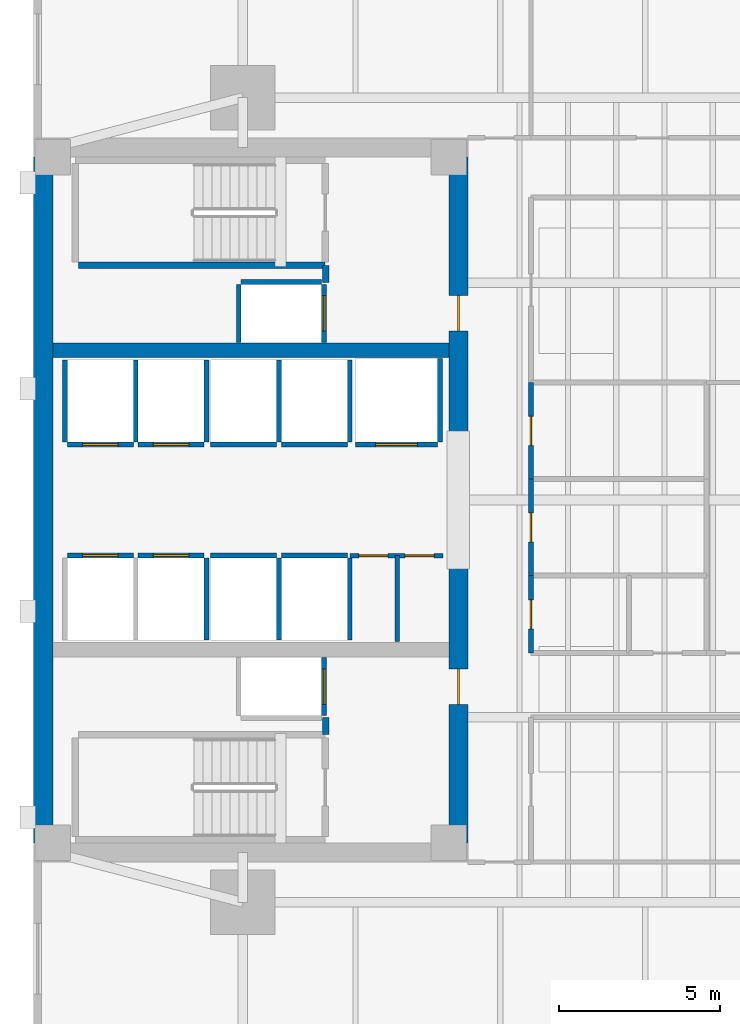
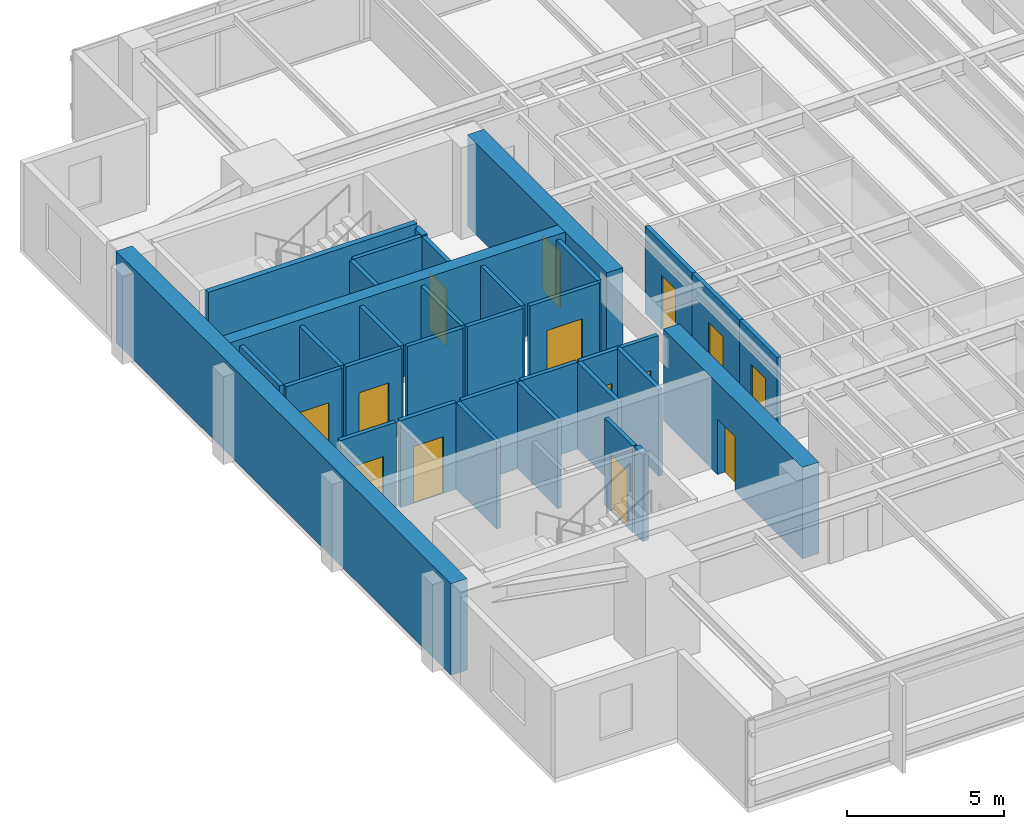
# One storey, part 8 of 14: 34 walls, 14 doors, 14 openings.
"""IFC4 building model written with IfcOpenShell, lengths in metres."""

from ifc_helpers import new_model, si_unit, direction, frame, frame_2d, origin, place, context, subcontext, project, spatial, rectangle, extrude, material, layer, layer_set, type_object, element, fill, save


model = new_model("IFC4")

# Units and contexts
model_context = context("Model", 3, precision=1e-05, world=origin(), true_north=direction((0.0, 1.0)))
body_context = subcontext(model_context, "Body", "Model", "MODEL_VIEW")
ifc_project = project(units=[si_unit("LENGTHUNIT", "METRE"), si_unit("AREAUNIT", "SQUARE_METRE"), si_unit("VOLUMEUNIT", "CUBIC_METRE"), si_unit("PLANEANGLEUNIT", "RADIAN"), si_unit("MASSUNIT", "GRAM", prefix="KILO")], contexts=[model_context])

# Site, building, storey
site_placement = place(None, origin())
site = spatial("IfcSite", under=ifc_project, at=site_placement, CompositionType="ELEMENT")
building_placement = place(site_placement, origin())
building = spatial("IfcBuilding", under=site, at=building_placement, Name="Kinhvarn Gate Tower", CompositionType="ELEMENT")
storey_placement = place(building_placement, frame((0.0, 0.0, 137.75)))
storey = spatial("IfcBuildingStorey", under=building, at=storey_placement, Name="L36", CompositionType="ELEMENT", Elevation=137.75)

# Wall
ifc_material_1 = material(Name="Concrete C50/60", Category="concrete")
ifc_layer_1 = layer(ifc_material_1, 0.449951171875)
ifc_layer_set_1 = layer_set([ifc_layer_1], Name="Concrete C50/60")
wall_type_1 = type_object("IfcWallType", Name="WL-CORE-450", PredefinedType="SHEAR", material=ifc_layer_set_1)
wall_1_placement = place(storey_placement, frame((5.10009765625, 29.89990234375, 0.0), z_axis=(0.0, 0.0, 1.0), x_axis=(1.0, 0.0, 0.0)))
element("IfcWall", 1, at=wall_1_placement, inside=storey, type_object=wall_type_1, Name="Core North Spine Shear Wall L36 450 mm", PredefinedType="SHEAR", context=body_context, shape_type="SweptSolid", body=[
    extrude(rectangle(XDim=12.2998046875, YDim=0.449951171875, at=frame_2d((6.14990234375, 0.0))), origin(), (0.0, 0.0, 1.0), 3.550048828125),
])

# Wall, opening, door
ifc_material_2 = material(Name="Concrete C60/75", Category="concrete")
ifc_layer_2 = layer(ifc_material_2, 0.60009765625)
ifc_layer_set_2 = layer_set([ifc_layer_2], Name="Concrete C60/75")
wall_type_2 = type_object("IfcWallType", Name="WL-CORE-600", PredefinedType="SHEAR", material=ifc_layer_set_2)
wall_2_placement = place(storey_placement, frame((17.699951171875, 14.60009765625, 0.0), z_axis=(0.0, 0.0, 1.0), x_axis=(0.0, 1.0, 0.0)))
wall_2 = element("IfcWall", 2, at=wall_2_placement, inside=storey, type_object=wall_type_2, Name="Core East-South Shear Pier L36 600 mm", PredefinedType="SHEAR", context=body_context, shape_type="SweptSolid", body=[
    extrude(rectangle(XDim=8.849853515625, YDim=0.60009765625, at=frame_2d((4.4248046875, 0.0))), origin(), (0.0, 0.0, 1.0), 3.550048828125),
])
opening_1_placement = place(wall_2_placement, frame((4.300048828125, 0.0, 0.0)))
opening_1 = element("IfcOpeningElement", 3, at=opening_1_placement, cuts=wall_2, Name="Opening FD-02", PredefinedType="OPENING", context=body_context, shape_type="SweptSolid", body=[
    extrude(rectangle(XDim=1.10009765625, YDim=2.14990234375, at=frame_2d((0.550048828125, 1.074951171875))), frame((0.0, 0.31005859375, 0.0), z_axis=(0.0, -1.0, 0.0), x_axis=(1.0, 0.0, 0.0)), (0.0, 0.0, 1.0), 0.6201171875),
])
ifc_material_3 = material(Name="Anodised aluminium AW-6063", Category="aluminium")
door_type_1 = type_object("IfcDoorType", Name="DR-FD-1100", OperationType="NOTDEFINED", PredefinedType="DOOR", material=ifc_material_3)
door_1_placement = place(opening_1_placement, origin())
door_1 = element("IfcDoor", 4, at=door_1_placement, inside=storey, type_object=door_type_1, Name="Firefighting Lobby Core Door (L36)", OperationType="SINGLE_SWING_RIGHT", OverallHeight=2.14990234375, OverallWidth=1.10009765625, PredefinedType="DOOR", context=body_context, shape_type="SweptSolid", body=[
    extrude(rectangle(XDim=1.10009765625, YDim=2.14990234375, at=frame_2d((0.550048828125, 1.074951171875))), frame((0.0, 0.02490234375, 0.0), z_axis=(0.0, -1.0, 0.0), x_axis=(1.0, 0.0, 0.0)), (0.0, 0.0, 1.0), 0.050048828125),
])
fill(opening_1, door_1)

wall_3_placement = place(storey_placement, frame((17.699951171875, 27.050048828125, 0.0), z_axis=(0.0, 0.0, 1.0), x_axis=(0.0, 1.0, 0.0)))
wall_3 = element("IfcWall", 5, at=wall_3_placement, inside=storey, type_object=wall_type_2, Name="Core East-North Shear Pier L36 600 mm", PredefinedType="SHEAR", context=body_context, shape_type="SweptSolid", body=[
    extrude(rectangle(XDim=8.849853515625, YDim=0.60009765625, at=frame_2d((4.4248046875, 0.0))), origin(), (0.0, 0.0, 1.0), 3.550048828125),
])
opening_2_placement = place(wall_3_placement, frame((3.449951171875, 0.0, 0.0)))
opening_2 = element("IfcOpeningElement", 6, at=opening_2_placement, cuts=wall_3, Name="Opening FD-02", PredefinedType="OPENING", context=body_context, shape_type="SweptSolid", body=[
    extrude(rectangle(XDim=1.10009765625, YDim=2.14990234375, at=frame_2d((0.550048828125, 1.074951171875))), frame((0.0, 0.31005859375, 0.0), z_axis=(0.0, -1.0, 0.0), x_axis=(1.0, 0.0, 0.0)), (0.0, 0.0, 1.0), 0.6201171875),
])
door_2_placement = place(opening_2_placement, origin())
door_2 = element("IfcDoor", 7, at=door_2_placement, inside=storey, type_object=door_type_1, Name="Firefighting Lobby Core Door (L36)", OperationType="SINGLE_SWING_LEFT", OverallHeight=2.14990234375, OverallWidth=1.10009765625, PredefinedType="DOOR", context=body_context, shape_type="SweptSolid", body=[
    extrude(rectangle(XDim=1.10009765625, YDim=2.14990234375, at=frame_2d((0.550048828125, 1.074951171875))), frame((0.0, 0.02490234375, 0.0), z_axis=(0.0, -1.0, 0.0), x_axis=(1.0, 0.0, 0.0)), (0.0, 0.0, 1.0), 0.050048828125),
])
fill(opening_2, door_2)

# Wall
ifc_layer_3 = layer(ifc_material_2, 0.60009765625)
ifc_layer_set_3 = layer_set([ifc_layer_3], Name="Concrete C60/75")
wall_type_3 = type_object("IfcWallType", Name="WL-COREX-600", PredefinedType="SHEAR", material=ifc_layer_set_3)
wall_4_placement = place(storey_placement, frame((4.800048828125, 14.60009765625, 0.0), z_axis=(0.0, 0.0, 1.0), x_axis=(0.0, 1.0, 0.0)))
element("IfcWall", 8, at=wall_4_placement, inside=storey, type_object=wall_type_3, Name="Core West Shear Wall L36 600 mm", PredefinedType="SHEAR", context=body_context, shape_type="SweptSolid", body=[
    extrude(rectangle(XDim=21.2998046875, YDim=0.60009765625, at=frame_2d((10.64990234375, 0.0))), origin(), (0.0, 0.0, 1.0), 3.550048828125),
])

# Wall, opening, door
ifc_material_4 = material(Name="Gypsum acoustic partition board")
ifc_layer_4 = layer(ifc_material_4, 0.14990234375)
ifc_layer_set_4 = layer_set([ifc_layer_4], Name="Gypsum acoustic partition board")
wall_type_4 = type_object("IfcWallType", Name="WL-PLM-150F", PredefinedType="PLUMBINGWALL", material=ifc_layer_set_4)
wall_5_placement = place(storey_placement, frame((19.949951171875, 20.5, 0.0), z_axis=(0.0, 0.0, 1.0), x_axis=(0.0, 1.0, 0.0)))
wall_5 = element("IfcWall", 9, at=wall_5_placement, inside=storey, type_object=wall_type_4, Name="Interior Partition PLW-150F (L36)", PredefinedType="PLUMBINGWALL", context=body_context, shape_type="SweptSolid", body=[
    extrude(rectangle(XDim=2.39990234375, YDim=0.14990234375, at=frame_2d((1.199951171875, 0.0))), origin(), (0.0, 0.0, 1.0), 3.3701171875),
])
opening_3_placement = place(wall_5_placement, frame((0.75, 0.0, 0.0)))
opening_3 = element("IfcOpeningElement", 10, at=opening_3_placement, cuts=wall_5, Name="Opening FD-04", PredefinedType="OPENING", context=body_context, shape_type="SweptSolid", body=[
    extrude(rectangle(XDim=0.89990234375, YDim=2.10009765625, at=frame_2d((0.449951171875, 1.050048828125))), frame((0.0, 0.0849609375, 0.0), z_axis=(0.0, -1.0, 0.0), x_axis=(1.0, 0.0, 0.0)), (0.0, 0.0, 1.0), 0.169921875),
])
door_type_2 = type_object("IfcDoorType", Name="DR-FD-900", OperationType="NOTDEFINED", PredefinedType="DOOR", material=ifc_material_3)
door_3_placement = place(opening_3_placement, origin())
door_3 = element("IfcDoor", 11, at=door_3_placement, inside=storey, type_object=door_type_2, Name="Rated Riser & Service Closet Fire Door 900x2100 mm (L36)", OperationType="SINGLE_SWING_LEFT", OverallHeight=2.10009765625, OverallWidth=0.89990234375, PredefinedType="DOOR", context=body_context, shape_type="SweptSolid", body=[
    extrude(rectangle(XDim=0.89990234375, YDim=2.10009765625, at=frame_2d((0.449951171875, 1.050048828125))), frame((0.0, 0.02490234375, 0.0), z_axis=(0.0, -1.0, 0.0), x_axis=(1.0, 0.0, 0.0)), (0.0, 0.0, 1.0), 0.050048828125),
])
fill(opening_3, door_3)

wall_6_placement = place(storey_placement, frame((19.949951171875, 22.89990234375, 0.0), z_axis=(0.0, 0.0, 1.0), x_axis=(0.0, 1.0, 0.0)))
wall_6 = element("IfcWall", 12, at=wall_6_placement, inside=storey, type_object=wall_type_4, Name="Interior Partition PLW-150F (L36)", PredefinedType="PLUMBINGWALL", context=body_context, shape_type="SweptSolid", body=[
    extrude(rectangle(XDim=3.0, YDim=0.14990234375, at=frame_2d((1.5, 0.0))), origin(), (0.0, 0.0, 1.0), 3.3701171875),
])
opening_4_placement = place(wall_6_placement, frame((1.050048828125, 0.0, 0.0)))
opening_4 = element("IfcOpeningElement", 13, at=opening_4_placement, cuts=wall_6, Name="Opening FD-04", PredefinedType="OPENING", context=body_context, shape_type="SweptSolid", body=[
    extrude(rectangle(XDim=0.89990234375, YDim=2.10009765625, at=frame_2d((0.449951171875, 1.050048828125))), frame((0.0, 0.0849609375, 0.0), z_axis=(0.0, -1.0, 0.0), x_axis=(1.0, 0.0, 0.0)), (0.0, 0.0, 1.0), 0.169921875),
])
door_4_placement = place(opening_4_placement, origin())
door_4 = element("IfcDoor", 14, at=door_4_placement, inside=storey, type_object=door_type_2, Name="Rated Riser & Service Closet Fire Door 900x2100 mm (L36)", OperationType="SINGLE_SWING_RIGHT", OverallHeight=2.10009765625, OverallWidth=0.89990234375, PredefinedType="DOOR", context=body_context, shape_type="SweptSolid", body=[
    extrude(rectangle(XDim=0.89990234375, YDim=2.10009765625, at=frame_2d((0.449951171875, 1.050048828125))), frame((0.0, 0.02490234375, 0.0), z_axis=(0.0, -1.0, 0.0), x_axis=(1.0, 0.0, 0.0)), (0.0, 0.0, 1.0), 0.050048828125),
])
fill(opening_4, door_4)

wall_7_placement = place(storey_placement, frame((19.949951171875, 25.89990234375, 0.0), z_axis=(0.0, 0.0, 1.0), x_axis=(0.0, 1.0, 0.0)))
wall_7 = element("IfcWall", 15, at=wall_7_placement, inside=storey, type_object=wall_type_4, Name="Interior Partition PLW-150F (L36)", PredefinedType="PLUMBINGWALL", context=body_context, shape_type="SweptSolid", body=[
    extrude(rectangle(XDim=3.0, YDim=0.14990234375, at=frame_2d((1.5, 0.0))), origin(), (0.0, 0.0, 1.0), 3.3701171875),
])
opening_5_placement = place(wall_7_placement, frame((1.050048828125, 0.0, 0.0)))
opening_5 = element("IfcOpeningElement", 16, at=opening_5_placement, cuts=wall_7, Name="Opening FD-04", PredefinedType="OPENING", context=body_context, shape_type="SweptSolid", body=[
    extrude(rectangle(XDim=0.89990234375, YDim=2.10009765625, at=frame_2d((0.449951171875, 1.050048828125))), frame((0.0, 0.0849609375, 0.0), z_axis=(0.0, -1.0, 0.0), x_axis=(1.0, 0.0, 0.0)), (0.0, 0.0, 1.0), 0.169921875),
])
door_5_placement = place(opening_5_placement, origin())
door_5 = element("IfcDoor", 17, at=door_5_placement, inside=storey, type_object=door_type_2, Name="Rated Riser & Service Closet Fire Door 900x2100 mm (L36)", OperationType="SINGLE_SWING_LEFT", OverallHeight=2.10009765625, OverallWidth=0.89990234375, PredefinedType="DOOR", context=body_context, shape_type="SweptSolid", body=[
    extrude(rectangle(XDim=0.89990234375, YDim=2.10009765625, at=frame_2d((0.449951171875, 1.050048828125))), frame((0.0, 0.02490234375, 0.0), z_axis=(0.0, -1.0, 0.0), x_axis=(1.0, 0.0, 0.0)), (0.0, 0.0, 1.0), 0.050048828125),
])
fill(opening_5, door_5)

# Wall
ifc_layer_5 = layer(ifc_material_4, 0.14990234375)
ifc_layer_set_5 = layer_set([ifc_layer_5], Name="Gypsum acoustic partition board")
wall_type_5 = type_object("IfcWallType", Name="WL-PRT-150F", PredefinedType="PARTITIONING", material=ifc_layer_set_5)
wall_8_placement = place(storey_placement, frame((15.800048828125, 20.85009765625, 0.0), z_axis=(0.0, 0.0, 1.0), x_axis=(0.0, 1.0, 0.0)))
element("IfcWall", 18, at=wall_8_placement, inside=storey, type_object=wall_type_5, Name="Interior Partition PW-150F (L36)", PredefinedType="PARTITIONING", context=body_context, shape_type="SweptSolid", body=[
    extrude(rectangle(XDim=2.669921875, YDim=0.14990234375, at=frame_2d((1.3349609375, 0.0))), origin(), (0.0, 0.0, 1.0), 3.3701171875),
])

# Wall, openings, doors
wall_9_placement = place(storey_placement, frame((14.330078125, 23.52001953125, 0.0), z_axis=(0.0, 0.0, 1.0), x_axis=(1.0, 0.0, 0.0)))
wall_9 = element("IfcWall", 19, at=wall_9_placement, inside=storey, type_object=wall_type_5, Name="Interior Partition PW-150F (L36)", PredefinedType="PARTITIONING", context=body_context, shape_type="SweptSolid", body=[
    extrude(rectangle(XDim=2.889892578125, YDim=0.14990234375, at=frame_2d((1.44482421875, 0.0))), origin(), (0.0, 0.0, 1.0), 3.3701171875),
])
opening_6_placement = place(wall_9_placement, frame((0.280029296875, 0.0, 0.0)))
opening_6 = element("IfcOpeningElement", 20, at=opening_6_placement, cuts=wall_9, Name="Opening FD-04", PredefinedType="OPENING", context=body_context, shape_type="SweptSolid", body=[
    extrude(rectangle(XDim=0.89990234375, YDim=2.10009765625, at=frame_2d((0.449951171875, 1.050048828125))), frame((0.0, 0.0849609375, 0.0), z_axis=(0.0, -1.0, 0.0), x_axis=(1.0, 0.0, 0.0)), (0.0, 0.0, 1.0), 0.169921875),
])
opening_7_placement = place(wall_9_placement, frame((1.7099609375, 0.0, 0.0)))
opening_7 = element("IfcOpeningElement", 21, at=opening_7_placement, cuts=wall_9, Name="Opening FD-04", PredefinedType="OPENING", context=body_context, shape_type="SweptSolid", body=[
    extrude(rectangle(XDim=0.89990234375, YDim=2.10009765625, at=frame_2d((0.449951171875, 1.050048828125))), frame((0.0, 0.0849609375, 0.0), z_axis=(0.0, -1.0, 0.0), x_axis=(1.0, 0.0, 0.0)), (0.0, 0.0, 1.0), 0.169921875),
])
door_6_placement = place(opening_6_placement, origin())
door_6 = element("IfcDoor", 22, at=door_6_placement, inside=storey, type_object=door_type_2, Name="Rated Riser & Service Closet Fire Door 900x2100 mm (L36)", OperationType="SINGLE_SWING_LEFT", OverallHeight=2.10009765625, OverallWidth=0.89990234375, PredefinedType="DOOR", context=body_context, shape_type="SweptSolid", body=[
    extrude(rectangle(XDim=0.89990234375, YDim=2.10009765625, at=frame_2d((0.449951171875, 1.050048828125))), frame((0.0, 0.02490234375, 0.0), z_axis=(0.0, -1.0, 0.0), x_axis=(1.0, 0.0, 0.0)), (0.0, 0.0, 1.0), 0.050048828125),
])
fill(opening_6, door_6)
door_7_placement = place(opening_7_placement, origin())
door_7 = element("IfcDoor", 23, at=door_7_placement, inside=storey, type_object=door_type_2, Name="Rated Riser & Service Closet Fire Door 900x2100 mm (L36)", OperationType="SINGLE_SWING_RIGHT", OverallHeight=2.10009765625, OverallWidth=0.89990234375, PredefinedType="DOOR", context=body_context, shape_type="SweptSolid", body=[
    extrude(rectangle(XDim=0.89990234375, YDim=2.10009765625, at=frame_2d((0.449951171875, 1.050048828125))), frame((0.0, 0.02490234375, 0.0), z_axis=(0.0, -1.0, 0.0), x_axis=(1.0, 0.0, 0.0)), (0.0, 0.0, 1.0), 0.050048828125),
])
fill(opening_7, door_7)

# Walls
ifc_layer_6 = layer(ifc_material_4, 0.199951171875)
ifc_layer_set_6 = layer_set([ifc_layer_6], Name="Gypsum acoustic partition board")
wall_type_6 = type_object("IfcWallType", Name="WL-PRT-200", PredefinedType="PARTITIONING", material=ifc_layer_set_6)
for number, where, z_axis, x_axis, name in (
    (24, (13.580078125, 17.9599609375, 0.0), (0.0, 0.0, 1.0), (0.0, 1.0, 0.0), "Interior Partition PW-200 (L36)"),
    (25, (13.580078125, 32.0, 0.0), (0.0, 0.0, 1.0), (0.0, 1.0, 0.0), "Interior Partition PW-200 (L36)"),
):
    element("IfcWall", number, at=place(storey_placement, frame(where, z_axis=z_axis, x_axis=x_axis)), inside=storey, type_object=wall_type_6, Name=name, PredefinedType="PARTITIONING", context=body_context, shape_type="SweptSolid", body=[
        extrude(rectangle(XDim=0.5400390625, YDim=0.199951171875, at=frame_2d((0.27001953125, 0.0))), origin(), (0.0, 0.0, 1.0), 3.3701171875),
    ])

# Wall, opening, door
ifc_layer_7 = layer(ifc_material_4, 0.14990234375)
ifc_layer_set_7 = layer_set([ifc_layer_7], Name="Gypsum acoustic partition board")
wall_type_7 = type_object("IfcWallType", Name="WL-SHF-150", PredefinedType="PARTITIONING", material=ifc_layer_set_7)
wall_10_placement = place(storey_placement, frame((5.550048828125, 23.52490234375, 0.0), z_axis=(0.0, 0.0, 1.0), x_axis=(1.0, 0.0, 0.0)))
wall_10 = element("IfcWall", 26, at=wall_10_placement, inside=storey, type_object=wall_type_7, Name="Elevator PM-05 Landing Wall (L36)", PredefinedType="PARTITIONING", context=body_context, shape_type="SweptSolid", body=[
    extrude(rectangle(XDim=2.050048828125, YDim=0.14990234375, at=frame_2d((1.02490234375, 0.0))), origin(), (0.0, 0.0, 1.0), 3.3701171875),
])
opening_8_placement = place(wall_10_placement, frame((0.47509765625, 0.0, 0.0)))
opening_8 = element("IfcOpeningElement", 27, at=opening_8_placement, cuts=wall_10, Name="Opening LD-01", PredefinedType="OPENING", context=body_context, shape_type="SweptSolid", body=[
    extrude(rectangle(XDim=1.10009765625, YDim=2.199951171875, at=frame_2d((0.550048828125, 1.10009765625))), frame((0.0, 0.0849609375, 0.0), z_axis=(0.0, -1.0, 0.0), x_axis=(1.0, 0.0, 0.0)), (0.0, 0.0, 1.0), 0.169921875),
])
door_type_3 = type_object("IfcDoorType", Name="DR-LND-PAS", OperationType="NOTDEFINED", PredefinedType="DOOR", material=ifc_material_3)
door_8_placement = place(opening_8_placement, origin())
door_8 = element("IfcDoor", 28, at=door_8_placement, inside=storey, type_object=door_type_3, Name="Elevator PM-05 Sliding Landing Door (L36)", OperationType="DOUBLE_DOOR_SLIDING", OverallHeight=2.199951171875, OverallWidth=1.10009765625, PredefinedType="DOOR", context=body_context, shape_type="SweptSolid", body=[
    extrude(rectangle(XDim=1.10009765625, YDim=2.199951171875, at=frame_2d((0.550048828125, 1.10009765625))), frame((0.0, 0.02490234375, 0.0), z_axis=(0.0, -1.0, 0.0), x_axis=(1.0, 0.0, 0.0)), (0.0, 0.0, 1.0), 0.050048828125),
])
fill(opening_8, door_8)

wall_11_placement = place(storey_placement, frame((7.75, 23.52490234375, 0.0), z_axis=(0.0, 0.0, 1.0), x_axis=(1.0, 0.0, 0.0)))
wall_11 = element("IfcWall", 29, at=wall_11_placement, inside=storey, type_object=wall_type_7, Name="Elevator PM-06 Landing Wall (L36)", PredefinedType="PARTITIONING", context=body_context, shape_type="SweptSolid", body=[
    extrude(rectangle(XDim=2.050048828125, YDim=0.14990234375, at=frame_2d((1.02490234375, 0.0))), origin(), (0.0, 0.0, 1.0), 3.3701171875),
])
opening_9_placement = place(wall_11_placement, frame((0.47509765625, 0.0, 0.0)))
opening_9 = element("IfcOpeningElement", 30, at=opening_9_placement, cuts=wall_11, Name="Opening LD-01", PredefinedType="OPENING", context=body_context, shape_type="SweptSolid", body=[
    extrude(rectangle(XDim=1.10009765625, YDim=2.199951171875, at=frame_2d((0.550048828125, 1.10009765625))), frame((0.0, 0.0849609375, 0.0), z_axis=(0.0, -1.0, 0.0), x_axis=(1.0, 0.0, 0.0)), (0.0, 0.0, 1.0), 0.169921875),
])
door_9_placement = place(opening_9_placement, origin())
door_9 = element("IfcDoor", 31, at=door_9_placement, inside=storey, type_object=door_type_3, Name="Elevator PM-06 Sliding Landing Door (L36)", OperationType="DOUBLE_DOOR_SLIDING", OverallHeight=2.199951171875, OverallWidth=1.10009765625, PredefinedType="DOOR", context=body_context, shape_type="SweptSolid", body=[
    extrude(rectangle(XDim=1.10009765625, YDim=2.199951171875, at=frame_2d((0.550048828125, 1.10009765625))), frame((0.0, 0.02490234375, 0.0), z_axis=(0.0, -1.0, 0.0), x_axis=(1.0, 0.0, 0.0)), (0.0, 0.0, 1.0), 0.050048828125),
])
fill(opening_9, door_9)

# Wall
wall_12_placement = place(storey_placement, frame((9.875, 20.89990234375, 0.0), z_axis=(0.0, 0.0, 1.0), x_axis=(0.0, 1.0, 0.0)))
element("IfcWall", 32, at=wall_12_placement, inside=storey, type_object=wall_type_7, Name="Elevator PM-06 Hoistway Wall E (L36)", PredefinedType="PARTITIONING", context=body_context, shape_type="SweptSolid", body=[
    extrude(rectangle(XDim=2.550048828125, YDim=0.14990234375, at=frame_2d((1.27490234375, 0.0))), origin(), (0.0, 0.0, 1.0), 3.3701171875),
])

# Wall, opening, door
wall_13_placement = place(storey_placement, frame((5.550048828125, 26.97509765625, 0.0), z_axis=(0.0, 0.0, 1.0), x_axis=(1.0, 0.0, 0.0)))
wall_13 = element("IfcWall", 33, at=wall_13_placement, inside=storey, type_object=wall_type_7, Name="Elevator PM-07 Landing Wall (L36)", PredefinedType="PARTITIONING", context=body_context, shape_type="SweptSolid", body=[
    extrude(rectangle(XDim=2.050048828125, YDim=0.14990234375, at=frame_2d((1.02490234375, 0.0))), origin(), (0.0, 0.0, 1.0), 3.3701171875),
])
opening_10_placement = place(wall_13_placement, frame((0.47509765625, 0.0, 0.0)))
opening_10 = element("IfcOpeningElement", 34, at=opening_10_placement, cuts=wall_13, Name="Opening LD-01", PredefinedType="OPENING", context=body_context, shape_type="SweptSolid", body=[
    extrude(rectangle(XDim=1.10009765625, YDim=2.199951171875, at=frame_2d((0.550048828125, 1.10009765625))), frame((0.0, 0.0849609375, 0.0), z_axis=(0.0, -1.0, 0.0), x_axis=(1.0, 0.0, 0.0)), (0.0, 0.0, 1.0), 0.169921875),
])
door_10_placement = place(opening_10_placement, origin())
door_10 = element("IfcDoor", 35, at=door_10_placement, inside=storey, type_object=door_type_3, Name="Elevator PM-07 Sliding Landing Door (L36)", OperationType="DOUBLE_DOOR_SLIDING", OverallHeight=2.199951171875, OverallWidth=1.10009765625, PredefinedType="DOOR", context=body_context, shape_type="SweptSolid", body=[
    extrude(rectangle(XDim=1.10009765625, YDim=2.199951171875, at=frame_2d((0.550048828125, 1.10009765625))), frame((0.0, 0.02490234375, 0.0), z_axis=(0.0, -1.0, 0.0), x_axis=(1.0, 0.0, 0.0)), (0.0, 0.0, 1.0), 0.050048828125),
])
fill(opening_10, door_10)

# Walls
for number, where, z_axis, x_axis, name in (
    (36, (5.47509765625, 27.050048828125, 0.0), (0.0, 0.0, 1.0), (0.0, 1.0, 0.0), "Elevator PM-07 Hoistway Wall W (L36)"),
    (37, (7.675048828125, 27.050048828125, 0.0), (0.0, 0.0, 1.0), (0.0, 1.0, 0.0), "Elevator PM-07 Hoistway Wall E (L36)"),
):
    element("IfcWall", number, at=place(storey_placement, frame(where, z_axis=z_axis, x_axis=x_axis)), inside=storey, type_object=wall_type_7, Name=name, PredefinedType="PARTITIONING", context=body_context, shape_type="SweptSolid", body=[
        extrude(rectangle(XDim=2.550048828125, YDim=0.14990234375, at=frame_2d((1.27490234375, 0.0))), origin(), (0.0, 0.0, 1.0), 3.3701171875),
    ])

# Wall, opening, door
wall_14_placement = place(storey_placement, frame((7.75, 26.97509765625, 0.0), z_axis=(0.0, 0.0, 1.0), x_axis=(1.0, 0.0, 0.0)))
wall_14 = element("IfcWall", 38, at=wall_14_placement, inside=storey, type_object=wall_type_7, Name="Elevator PM-08 Landing Wall (L36)", PredefinedType="PARTITIONING", context=body_context, shape_type="SweptSolid", body=[
    extrude(rectangle(XDim=2.050048828125, YDim=0.14990234375, at=frame_2d((1.02490234375, 0.0))), origin(), (0.0, 0.0, 1.0), 3.3701171875),
])
opening_11_placement = place(wall_14_placement, frame((0.47509765625, 0.0, 0.0)))
opening_11 = element("IfcOpeningElement", 39, at=opening_11_placement, cuts=wall_14, Name="Opening LD-01", PredefinedType="OPENING", context=body_context, shape_type="SweptSolid", body=[
    extrude(rectangle(XDim=1.10009765625, YDim=2.199951171875, at=frame_2d((0.550048828125, 1.10009765625))), frame((0.0, 0.0849609375, 0.0), z_axis=(0.0, -1.0, 0.0), x_axis=(1.0, 0.0, 0.0)), (0.0, 0.0, 1.0), 0.169921875),
])
door_11_placement = place(opening_11_placement, origin())
door_11 = element("IfcDoor", 40, at=door_11_placement, inside=storey, type_object=door_type_3, Name="Elevator PM-08 Sliding Landing Door (L36)", OperationType="DOUBLE_DOOR_SLIDING", OverallHeight=2.199951171875, OverallWidth=1.10009765625, PredefinedType="DOOR", context=body_context, shape_type="SweptSolid", body=[
    extrude(rectangle(XDim=1.10009765625, YDim=2.199951171875, at=frame_2d((0.550048828125, 1.10009765625))), frame((0.0, 0.02490234375, 0.0), z_axis=(0.0, -1.0, 0.0), x_axis=(1.0, 0.0, 0.0)), (0.0, 0.0, 1.0), 0.050048828125),
])
fill(opening_11, door_11)

# Walls
wall_15_placement = place(storey_placement, frame((9.875, 27.050048828125, 0.0), z_axis=(0.0, 0.0, 1.0), x_axis=(0.0, 1.0, 0.0)))
element("IfcWall", 41, at=wall_15_placement, inside=storey, type_object=wall_type_7, Name="Elevator PM-08 Hoistway Wall E (L36)", PredefinedType="PARTITIONING", context=body_context, shape_type="SweptSolid", body=[
    extrude(rectangle(XDim=2.550048828125, YDim=0.14990234375, at=frame_2d((1.27490234375, 0.0))), origin(), (0.0, 0.0, 1.0), 3.3701171875),
])
wall_16_placement = place(storey_placement, frame((10.0, 23.52490234375, 0.0), z_axis=(0.0, 0.0, 1.0), x_axis=(1.0, 0.0, 0.0)))
element("IfcWall", 42, at=wall_16_placement, inside=storey, type_object=wall_type_7, Name="Elevator PH-09 Landing Wall (L36)", PredefinedType="PARTITIONING", context=body_context, shape_type="SweptSolid", body=[
    extrude(rectangle(XDim=2.050048828125, YDim=0.14990234375, at=frame_2d((1.02490234375, 0.0))), origin(), (0.0, 0.0, 1.0), 3.3701171875),
])
wall_17_placement = place(storey_placement, frame((12.125, 20.89990234375, 0.0), z_axis=(0.0, 0.0, 1.0), x_axis=(0.0, 1.0, 0.0)))
element("IfcWall", 43, at=wall_17_placement, inside=storey, type_object=wall_type_7, Name="Elevator PH-09 Hoistway Wall E (L36)", PredefinedType="PARTITIONING", context=body_context, shape_type="SweptSolid", body=[
    extrude(rectangle(XDim=2.550048828125, YDim=0.14990234375, at=frame_2d((1.27490234375, 0.0))), origin(), (0.0, 0.0, 1.0), 3.3701171875),
])
wall_18_placement = place(storey_placement, frame((12.199951171875, 23.52490234375, 0.0), z_axis=(0.0, 0.0, 1.0), x_axis=(1.0, 0.0, 0.0)))
element("IfcWall", 44, at=wall_18_placement, inside=storey, type_object=wall_type_7, Name="Elevator PH-10 Landing Wall (L36)", PredefinedType="PARTITIONING", context=body_context, shape_type="SweptSolid", body=[
    extrude(rectangle(XDim=2.050048828125, YDim=0.14990234375, at=frame_2d((1.02490234375, 0.0))), origin(), (0.0, 0.0, 1.0), 3.3701171875),
])
wall_19_placement = place(storey_placement, frame((14.324951171875, 20.89990234375, 0.0), z_axis=(0.0, 0.0, 1.0), x_axis=(0.0, 1.0, 0.0)))
element("IfcWall", 45, at=wall_19_placement, inside=storey, type_object=wall_type_7, Name="Elevator PH-10 Hoistway Wall E (L36)", PredefinedType="PARTITIONING", context=body_context, shape_type="SweptSolid", body=[
    extrude(rectangle(XDim=2.550048828125, YDim=0.14990234375, at=frame_2d((1.27490234375, 0.0))), origin(), (0.0, 0.0, 1.0), 3.3701171875),
])
wall_20_placement = place(storey_placement, frame((10.0, 26.97509765625, 0.0), z_axis=(0.0, 0.0, 1.0), x_axis=(1.0, 0.0, 0.0)))
element("IfcWall", 46, at=wall_20_placement, inside=storey, type_object=wall_type_7, Name="Elevator PH-11 Landing Wall (L36)", PredefinedType="PARTITIONING", context=body_context, shape_type="SweptSolid", body=[
    extrude(rectangle(XDim=2.050048828125, YDim=0.14990234375, at=frame_2d((1.02490234375, 0.0))), origin(), (0.0, 0.0, 1.0), 3.3701171875),
])
wall_21_placement = place(storey_placement, frame((12.125, 27.050048828125, 0.0), z_axis=(0.0, 0.0, 1.0), x_axis=(0.0, 1.0, 0.0)))
element("IfcWall", 47, at=wall_21_placement, inside=storey, type_object=wall_type_7, Name="Elevator PH-11 Hoistway Wall E (L36)", PredefinedType="PARTITIONING", context=body_context, shape_type="SweptSolid", body=[
    extrude(rectangle(XDim=2.550048828125, YDim=0.14990234375, at=frame_2d((1.27490234375, 0.0))), origin(), (0.0, 0.0, 1.0), 3.3701171875),
])
wall_22_placement = place(storey_placement, frame((12.199951171875, 26.97509765625, 0.0), z_axis=(0.0, 0.0, 1.0), x_axis=(1.0, 0.0, 0.0)))
element("IfcWall", 48, at=wall_22_placement, inside=storey, type_object=wall_type_7, Name="Elevator PH-12 Landing Wall (L36)", PredefinedType="PARTITIONING", context=body_context, shape_type="SweptSolid", body=[
    extrude(rectangle(XDim=2.050048828125, YDim=0.14990234375, at=frame_2d((1.02490234375, 0.0))), origin(), (0.0, 0.0, 1.0), 3.3701171875),
])
wall_23_placement = place(storey_placement, frame((14.324951171875, 27.050048828125, 0.0), z_axis=(0.0, 0.0, 1.0), x_axis=(0.0, 1.0, 0.0)))
element("IfcWall", 49, at=wall_23_placement, inside=storey, type_object=wall_type_7, Name="Elevator PH-12 Hoistway Wall E (L36)", PredefinedType="PARTITIONING", context=body_context, shape_type="SweptSolid", body=[
    extrude(rectangle(XDim=2.550048828125, YDim=0.14990234375, at=frame_2d((1.27490234375, 0.0))), origin(), (0.0, 0.0, 1.0), 3.3701171875),
])

# Wall, opening, door
wall_24_placement = place(storey_placement, frame((14.5, 26.97509765625, 0.0), z_axis=(0.0, 0.0, 1.0), x_axis=(1.0, 0.0, 0.0)))
wall_24 = element("IfcWall", 50, at=wall_24_placement, inside=storey, type_object=wall_type_7, Name="Elevator SV-01 Landing Wall (L36)", PredefinedType="PARTITIONING", context=body_context, shape_type="SweptSolid", body=[
    extrude(rectangle(XDim=2.550048828125, YDim=0.14990234375, at=frame_2d((1.27490234375, 0.0))), origin(), (0.0, 0.0, 1.0), 3.3701171875),
])
opening_12_placement = place(wall_24_placement, frame((0.625, 0.0, 0.0)))
opening_12 = element("IfcOpeningElement", 51, at=opening_12_placement, cuts=wall_24, Name="Opening LD-02", PredefinedType="OPENING", context=body_context, shape_type="SweptSolid", body=[
    extrude(rectangle(XDim=1.300048828125, YDim=2.199951171875, at=frame_2d((0.64990234375, 1.10009765625))), frame((0.0, 0.0849609375, 0.0), z_axis=(0.0, -1.0, 0.0), x_axis=(1.0, 0.0, 0.0)), (0.0, 0.0, 1.0), 0.169921875),
])
door_type_4 = type_object("IfcDoorType", Name="DR-LND-SRV", OperationType="NOTDEFINED", PredefinedType="DOOR", material=ifc_material_3)
door_12_placement = place(opening_12_placement, origin())
door_12 = element("IfcDoor", 52, at=door_12_placement, inside=storey, type_object=door_type_4, Name="Elevator SV-01 Sliding Landing Door (L36)", OperationType="DOUBLE_DOOR_SLIDING", OverallHeight=2.199951171875, OverallWidth=1.300048828125, PredefinedType="DOOR", context=body_context, shape_type="SweptSolid", body=[
    extrude(rectangle(XDim=1.300048828125, YDim=2.199951171875, at=frame_2d((0.64990234375, 1.10009765625))), frame((0.0, 0.02490234375, 0.0), z_axis=(0.0, -1.0, 0.0), x_axis=(1.0, 0.0, 0.0)), (0.0, 0.0, 1.0), 0.050048828125),
])
fill(opening_12, door_12)

# Wall
wall_25_placement = place(storey_placement, frame((17.125, 27.050048828125, 0.0), z_axis=(0.0, 0.0, 1.0), x_axis=(0.0, 1.0, 0.0)))
element("IfcWall", 53, at=wall_25_placement, inside=storey, type_object=wall_type_7, Name="Elevator SV-01 Hoistway Wall E (L36)", PredefinedType="PARTITIONING", context=body_context, shape_type="SweptSolid", body=[
    extrude(rectangle(XDim=2.599853515625, YDim=0.14990234375, at=frame_2d((1.2998046875, 0.0))), origin(), (0.0, 0.0, 1.0), 3.3701171875),
])

# Wall, opening, door
wall_26_placement = place(storey_placement, frame((13.52490234375, 18.550048828125, 0.0), z_axis=(0.0, 0.0, 1.0), x_axis=(0.0, 1.0, 0.0)))
wall_26 = element("IfcWall", 54, at=wall_26_placement, inside=storey, type_object=wall_type_7, Name="Elevator FF1 Landing Wall (L36)", PredefinedType="PARTITIONING", context=body_context, shape_type="SweptSolid", body=[
    extrude(rectangle(XDim=1.800048828125, YDim=0.14990234375, at=frame_2d((0.89990234375, 0.0))), origin(), (0.0, 0.0, 1.0), 3.3701171875),
])
opening_13_placement = place(wall_26_placement, frame((0.35009765625, 0.0, 0.0)))
opening_13 = element("IfcOpeningElement", 55, at=opening_13_placement, cuts=wall_26, Name="Opening LD-03", PredefinedType="OPENING", context=body_context, shape_type="SweptSolid", body=[
    extrude(rectangle(XDim=1.10009765625, YDim=2.199951171875, at=frame_2d((0.550048828125, 1.10009765625))), frame((0.0, 0.0849609375, 0.0), z_axis=(0.0, -1.0, 0.0), x_axis=(1.0, 0.0, 0.0)), (0.0, 0.0, 1.0), 0.169921875),
])
door_type_5 = type_object("IfcDoorType", Name="DR-LND-FF", OperationType="NOTDEFINED", PredefinedType="DOOR", material=ifc_material_3)
door_13_placement = place(opening_13_placement, origin())
door_13 = element("IfcDoor", 56, at=door_13_placement, inside=storey, type_object=door_type_5, Name="Elevator FF1 Sliding Landing Door (L36)", OperationType="DOUBLE_DOOR_SLIDING", OverallHeight=2.199951171875, OverallWidth=1.10009765625, PredefinedType="DOOR", context=body_context, shape_type="SweptSolid", body=[
    extrude(rectangle(XDim=1.10009765625, YDim=2.199951171875, at=frame_2d((0.550048828125, 1.10009765625))), frame((0.0, 0.02490234375, 0.0), z_axis=(0.0, -1.0, 0.0), x_axis=(1.0, 0.0, 0.0)), (0.0, 0.0, 1.0), 0.050048828125),
])
fill(opening_13, door_13)

# Walls
wall_27_placement = place(storey_placement, frame((10.949951171875, 32.02490234375, 0.0), z_axis=(0.0, 0.0, 1.0), x_axis=(1.0, 0.0, 0.0)))
element("IfcWall", 57, at=wall_27_placement, inside=storey, type_object=wall_type_7, Name="Elevator FF2 Hoistway Wall N (L36)", PredefinedType="PARTITIONING", context=body_context, shape_type="SweptSolid", body=[
    extrude(rectangle(XDim=2.5, YDim=0.14990234375, at=frame_2d((1.25, 0.0))), origin(), (0.0, 0.0, 1.0), 3.3701171875),
])
wall_28_placement = place(storey_placement, frame((10.875, 30.14990234375, 0.0), z_axis=(0.0, 0.0, 1.0), x_axis=(0.0, 1.0, 0.0)))
element("IfcWall", 58, at=wall_28_placement, inside=storey, type_object=wall_type_7, Name="Elevator FF2 Hoistway Wall W (L36)", PredefinedType="PARTITIONING", context=body_context, shape_type="SweptSolid", body=[
    extrude(rectangle(XDim=1.800048828125, YDim=0.14990234375, at=frame_2d((0.89990234375, 0.0))), origin(), (0.0, 0.0, 1.0), 3.3701171875),
])

# Wall, opening, door
wall_29_placement = place(storey_placement, frame((13.52490234375, 30.14990234375, 0.0), z_axis=(0.0, 0.0, 1.0), x_axis=(0.0, 1.0, 0.0)))
wall_29 = element("IfcWall", 59, at=wall_29_placement, inside=storey, type_object=wall_type_7, Name="Elevator FF2 Landing Wall (L36)", PredefinedType="PARTITIONING", context=body_context, shape_type="SweptSolid", body=[
    extrude(rectangle(XDim=1.800048828125, YDim=0.14990234375, at=frame_2d((0.89990234375, 0.0))), origin(), (0.0, 0.0, 1.0), 3.3701171875),
])
opening_14_placement = place(wall_29_placement, frame((0.35009765625, 0.0, 0.0)))
opening_14 = element("IfcOpeningElement", 60, at=opening_14_placement, cuts=wall_29, Name="Opening LD-03", PredefinedType="OPENING", context=body_context, shape_type="SweptSolid", body=[
    extrude(rectangle(XDim=1.10009765625, YDim=2.199951171875, at=frame_2d((0.550048828125, 1.10009765625))), frame((0.0, 0.0849609375, 0.0), z_axis=(0.0, -1.0, 0.0), x_axis=(1.0, 0.0, 0.0)), (0.0, 0.0, 1.0), 0.169921875),
])
door_14_placement = place(opening_14_placement, origin())
door_14 = element("IfcDoor", 61, at=door_14_placement, inside=storey, type_object=door_type_5, Name="Elevator FF2 Sliding Landing Door (L36)", OperationType="DOUBLE_DOOR_SLIDING", OverallHeight=2.199951171875, OverallWidth=1.10009765625, PredefinedType="DOOR", context=body_context, shape_type="SweptSolid", body=[
    extrude(rectangle(XDim=1.10009765625, YDim=2.199951171875, at=frame_2d((0.550048828125, 1.10009765625))), frame((0.0, 0.02490234375, 0.0), z_axis=(0.0, -1.0, 0.0), x_axis=(1.0, 0.0, 0.0)), (0.0, 0.0, 1.0), 0.050048828125),
])
fill(opening_14, door_14)

# Wall
ifc_material_5 = material(Name="Concrete C40/50", Category="concrete")
ifc_layer_8 = layer(ifc_material_5, 0.199951171875)
ifc_layer_set_8 = layer_set([ifc_layer_8], Name="Concrete C40/50")
wall_type_8 = type_object("IfcWallType", Name="WL-SHF-200", PredefinedType="SOLIDWALL", material=ifc_layer_set_8)
wall_30_placement = place(storey_placement, frame((5.89990234375, 32.5400390625, 0.0), z_axis=(0.0, 0.0, 1.0), x_axis=(1.0, 0.0, 0.0)))
element("IfcWall", 62, at=wall_30_placement, inside=storey, type_object=wall_type_8, Name="Stair ST2 South Shaft Wall (L36)", PredefinedType="SOLIDWALL", context=body_context, shape_type="SweptSolid", body=[
    extrude(rectangle(XDim=7.66015625, YDim=0.199951171875, at=frame_2d((3.830078125, 0.0))), origin(), (0.0, 0.0, 1.0), 3.550048828125),
])

save(model, "model.ifc")
